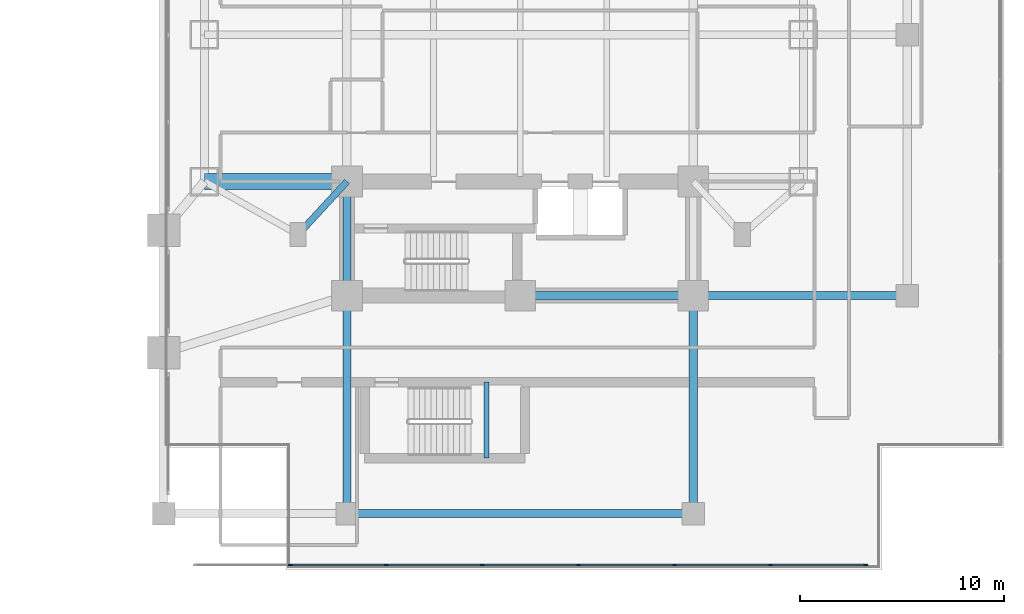
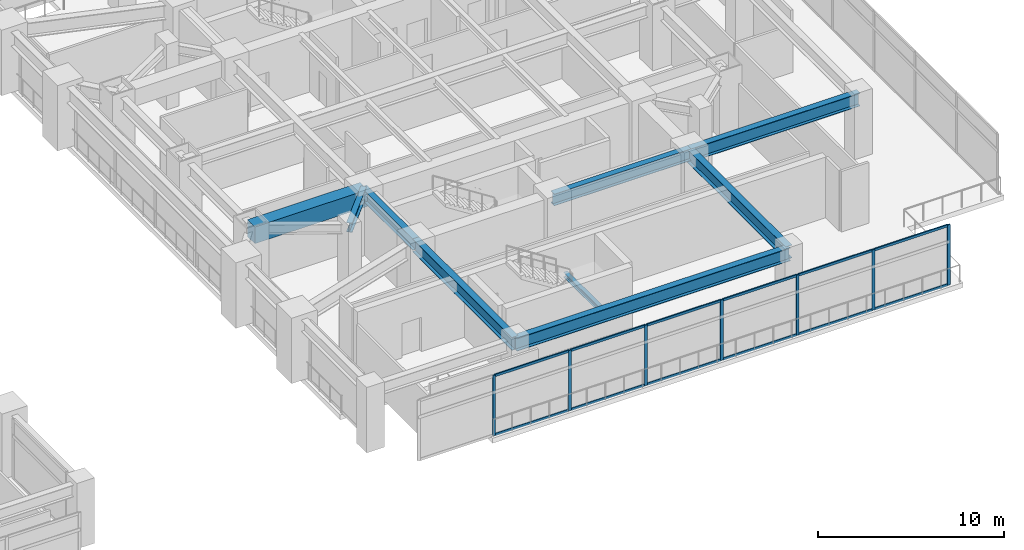
# One storey, part 9 of 31: 19 members, 9 beams, 1 element without a shape of its own.
"""IFC4 building model written with IfcOpenShell, lengths in metres."""

from ifc_helpers import new_model, si_unit, direction, frame, origin, origin_2d, place, context, subcontext, project, spatial, rectangle, i_section, extrude, material, material_profile, profile_set, type_object, element, aggregate, save


model = new_model("IFC4")

# Units and contexts
model_context = context("Model", 3, precision=1e-05, world=origin(), true_north=direction((0.0, 1.0)))
body_context = subcontext(model_context, "Body", "Model", "MODEL_VIEW")
ifc_project = project(units=[si_unit("LENGTHUNIT", "METRE"), si_unit("AREAUNIT", "SQUARE_METRE"), si_unit("VOLUMEUNIT", "CUBIC_METRE"), si_unit("PLANEANGLEUNIT", "RADIAN"), si_unit("MASSUNIT", "GRAM", prefix="KILO")], contexts=[model_context])

# Site, building, storey
site_placement = place(None, origin())
site = spatial("IfcSite", under=ifc_project, at=site_placement, CompositionType="ELEMENT")
building_placement = place(site_placement, origin())
building = spatial("IfcBuilding", under=site, at=building_placement, Name="Mirazonda Arch Towers", CompositionType="ELEMENT")
storey_placement = place(building_placement, frame((0.0, 0.0, 5.199951171875)))
storey = spatial("IfcBuildingStorey", under=building, at=storey_placement, Name="L01", CompositionType="ELEMENT", Elevation=5.199951171875)

# Beams
ifc_material_1 = material(Name="Steel ASTM A992 Grade 50", Category="steel")
ifc_material_profile_1 = material_profile(ifc_material_1, i_section(OverallWidth=0.39990234375, OverallDepth=0.85595703125, WebThickness=0.018310546875, FlangeThickness=0.029296875, at=origin_2d()), Name="W33X201")
ifc_profile_set_1 = profile_set([ifc_material_profile_1], Name="Steel ASTM A992 Grade 50")
beam_type_1 = type_object("IfcBeamType", Name="BM-EXT-W33X201", PredefinedType="USERDEFINED", material=ifc_profile_set_1)
beam_1_placement = place(storey_placement, frame((68.0, 4.5, 3.552001953125), z_axis=(1.0, 0.0, 0.0), x_axis=(0.0, 1.0, 0.0)))
element("IfcBeam", 1, at=beam_1_placement, inside=storey, type_object=beam_type_1, Name="L01 Floor Beam BM-POD-L01-PS-5", ObjectType="GIRDER", PredefinedType="USERDEFINED", context=body_context, shape_type="SweptSolid", body=[
    extrude(i_section(OverallWidth=0.39990234375, OverallDepth=0.85595703125, WebThickness=0.018310546875, FlangeThickness=0.029296875, at=origin_2d()), origin(), (0.0, 0.0, 1.0), 17.0),
])
ifc_material_profile_2 = material_profile(ifc_material_1, i_section(OverallWidth=0.257080078125, OverallDepth=0.330078125, WebThickness=0.011962890625, FlangeThickness=0.01953125, at=origin_2d()), Name="W10X68")
ifc_profile_set_2 = profile_set([ifc_material_profile_2], Name="Steel ASTM A992 Grade 50")
beam_type_2 = type_object("IfcBeamType", Name="BM-INT-W10X68", PredefinedType="BEAM", material=ifc_profile_set_2)
beam_2_placement = place(storey_placement, frame((74.85009765625, 7.219970703125, 1.78515625), z_axis=(0.0, 1.0, 0.0), x_axis=(-1.0, 0.0, 0.0)))
element("IfcBeam", 2, at=beam_2_placement, inside=storey, type_object=beam_type_2, Name="L01 ST-POD2 Landing Trimmer Beam", PredefinedType="BEAM", context=body_context, shape_type="SweptSolid", body=[
    extrude(i_section(OverallWidth=0.257080078125, OverallDepth=0.330078125, WebThickness=0.011962890625, FlangeThickness=0.01953125, at=origin_2d()), origin(), (0.0, 0.0, 1.0), 3.72998046875),
])
ifc_material_profile_3 = material_profile(ifc_material_1, i_section(OverallWidth=0.324951171875, OverallDepth=0.615966796875, WebThickness=0.013916015625, FlangeThickness=0.021484375, at=origin_2d()), Name="W24X117")
ifc_profile_set_3 = profile_set([ifc_material_profile_3], Name="Steel ASTM A992 Grade 50")
beam_type_3 = type_object("IfcBeamType", Name="BM-INT-W24X117", PredefinedType="BEAM", material=ifc_profile_set_3)
beam_3_placement = place(storey_placement, frame((65.60009765625, 18.199951171875, 3.672119140625), z_axis=(0.678251444854, 0.734829897019, 0.0), x_axis=(-0.734829897019, 0.678251444854, 0.0)))
element("IfcBeam", 3, at=beam_3_placement, inside=storey, type_object=beam_type_3, Name="L01 Floor Beam BM-T2-L01-PL-SW1", PredefinedType="BEAM", context=body_context, shape_type="SweptSolid", body=[
    extrude(i_section(OverallWidth=0.324951171875, OverallDepth=0.615966796875, WebThickness=0.013916015625, FlangeThickness=0.021484375, at=origin_2d()), origin(), (0.0, 0.0, 1.0), 3.538330078125),
])
ifc_material_profile_4 = material_profile(ifc_material_1, i_section(OverallWidth=0.381103515625, OverallDepth=0.77294921875, WebThickness=0.0166015625, FlangeThickness=0.027099609375, at=origin_2d()), Name="W30X173")
ifc_profile_set_4 = profile_set([ifc_material_profile_4], Name="Steel ASTM A992 Grade 50")
beam_type_4 = type_object("IfcBeamType", Name="BM-INT-W30X173", PredefinedType="USERDEFINED", material=ifc_profile_set_4)
beam_4_placement = place(storey_placement, frame((76.5, 15.199951171875, 3.593505859375), z_axis=(1.0, 0.0, 0.0), x_axis=(0.0, 1.0, 0.0)))
element("IfcBeam", 4, at=beam_4_placement, inside=storey, type_object=beam_type_4, Name="L01 Floor Beam BM-T2-L01-CS2", ObjectType="GIRDER", PredefinedType="USERDEFINED", context=body_context, shape_type="SweptSolid", body=[
    extrude(i_section(OverallWidth=0.381103515625, OverallDepth=0.77294921875, WebThickness=0.0166015625, FlangeThickness=0.027099609375, at=origin_2d()), origin(), (0.0, 0.0, 1.0), 8.5),
])
beam_5_placement = place(storey_placement, frame((68.0, 15.199951171875, 3.593505859375), z_axis=(0.0, 1.0, 0.0), x_axis=(-1.0, 0.0, 0.0)))
element("IfcBeam", 5, at=beam_5_placement, inside=storey, type_object=beam_type_4, Name="L01 Floor Beam BM-T2-L01-CSW", ObjectType="GIRDER", PredefinedType="USERDEFINED", context=body_context, shape_type="SweptSolid", body=[
    extrude(i_section(OverallWidth=0.381103515625, OverallDepth=0.77294921875, WebThickness=0.0166015625, FlangeThickness=0.027099609375, at=origin_2d()), origin(), (0.0, 0.0, 1.0), 5.60009765625),
])
ifc_material_profile_5 = material_profile(ifc_material_1, i_section(OverallWidth=0.39990234375, OverallDepth=0.85595703125, WebThickness=0.018310546875, FlangeThickness=0.029296875, at=origin_2d()), Name="W33X201")
ifc_profile_set_5 = profile_set([ifc_material_profile_5], Name="Steel ASTM A992 Grade 50")
beam_type_5 = type_object("IfcBeamType", Name="BM-INT-W33X201", PredefinedType="USERDEFINED", material=ifc_profile_set_5)
for number, where, z_axis, x_axis, name in (
    (6, (68.0, 4.5, 3.552001953125), (0.0, 1.0, 0.0), (-1.0, 0.0, 0.0), "L01 Floor Beam BM-POD-L01-PCS-6"),
    (7, (85.0, 4.5, 3.552001953125), (0.0, 1.0, 0.0), (-1.0, 0.0, 0.0), "L01 Floor Beam BM-POD-L01-PCS-7"),
):
    element("IfcBeam", number, at=place(storey_placement, frame(where, z_axis=z_axis, x_axis=x_axis)), inside=storey, type_object=beam_type_5, Name=name, ObjectType="GIRDER", PredefinedType="USERDEFINED", context=body_context, shape_type="SweptSolid", body=[
        extrude(i_section(OverallWidth=0.39990234375, OverallDepth=0.85595703125, WebThickness=0.018310546875, FlangeThickness=0.029296875, at=origin_2d()), origin(), (0.0, 0.0, 1.0), 10.699951171875),
    ])
beam_6_placement = place(storey_placement, frame((85.0, 15.199951171875, 3.552001953125), z_axis=(1.0, 0.0, 0.0), x_axis=(0.0, 1.0, 0.0)))
element("IfcBeam", 8, at=beam_6_placement, inside=storey, type_object=beam_type_5, Name="L01 Floor Beam BM-POD-L01-PCE-1", ObjectType="GIRDER", PredefinedType="USERDEFINED", context=body_context, shape_type="SweptSolid", body=[
    extrude(i_section(OverallWidth=0.39990234375, OverallDepth=0.85595703125, WebThickness=0.018310546875, FlangeThickness=0.029296875, at=origin_2d()), origin(), (0.0, 0.0, 1.0), 10.5),
])
ifc_material_2 = material(Name="Concrete C60/75", Category="concrete")
ifc_material_profile_6 = material_profile(ifc_material_2, rectangle(XDim=0.800048828125, YDim=1.10009765625, at=origin_2d()), Name="RCCB800x1100")
ifc_profile_set_6 = profile_set([ifc_material_profile_6], Name="Concrete C60/75")
beam_type_6 = type_object("IfcBeamType", Name="CB-INT-RCCB800x1100", PredefinedType="SPANDREL", material=ifc_profile_set_6)
beam_7_placement = place(storey_placement, frame((61.0, 20.800048828125, 3.429931640625), z_axis=(1.0, 0.0, 0.0), x_axis=(0.0, 1.0, 0.0)))
element("IfcBeam", 9, at=beam_7_placement, inside=storey, type_object=beam_type_6, Name="L01 Floor Beam CB-T2-L01-SW", PredefinedType="SPANDREL", context=body_context, shape_type="SweptSolid", body=[
    extrude(rectangle(XDim=0.800048828125, YDim=1.10009765625, at=origin_2d()), origin(), (0.0, 0.0, 1.0), 7.0),
])

# Curtain wall, members
ifc_material_3 = material(Name="Anodised Aluminium and Low-E Glass", Category="aluminium")
curtain_wall_type = type_object("IfcCurtainWallType", Name="CW-POD-STORE", PredefinedType="NOTDEFINED", material=ifc_material_3)
curtain_wall_placement = place(storey_placement, origin())
curtain_wall = element("IfcCurtainWall", 10, at=curtain_wall_placement, inside=storey, type_object=curtain_wall_type, Name="L01 Curtain Wall CW-L01-ES", PredefinedType="NOTDEFINED")
ifc_material_4 = material(Name="Anodised Aluminium Alloy", Category="aluminium")
ifc_material_profile_7 = material_profile(ifc_material_4, rectangle(XDim=0.080078125, YDim=0.179931640625, at=origin_2d()), Name="ALU-MULL-80x180")
ifc_profile_set_7 = profile_set([ifc_material_profile_7], Name="Anodised Aluminium Alloy")
member_type_1 = type_object("IfcMemberType", Name="MULL-CW-POD-STORE", PredefinedType="MULLION", material=ifc_profile_set_7)
member_1_placement = place(storey_placement, frame((93.4599609375, 1.969970703125, 0.0), z_axis=(0.0, 0.0, 1.0), x_axis=(0.0, -1.0, 0.0)))
member_1 = element("IfcMember", 11, at=member_1_placement, type_object=member_type_1, Name="CW-102 mullion 1", PredefinedType="MULLION", context=body_context, shape_type="SweptSolid", body=[
    extrude(rectangle(XDim=0.080078125, YDim=0.179931640625, at=origin_2d()), origin(), (0.0, 0.0, 1.0), 3.9599609375),
])
member_2_placement = place(storey_placement, frame((88.78564453125, 1.969970703125, 0.0), z_axis=(0.0, 0.0, 1.0), x_axis=(0.0, -1.0, 0.0)))
member_2 = element("IfcMember", 12, at=member_2_placement, type_object=member_type_1, Name="CW-102 mullion 2", PredefinedType="MULLION", context=body_context, shape_type="SweptSolid", body=[
    extrude(rectangle(XDim=0.080078125, YDim=0.179931640625, at=origin_2d()), origin(), (0.0, 0.0, 1.0), 3.9599609375),
])
member_3_placement = place(storey_placement, frame((84.071533203125, 1.969970703125, 0.0), z_axis=(0.0, 0.0, 1.0), x_axis=(0.0, -1.0, 0.0)))
member_3 = element("IfcMember", 13, at=member_3_placement, type_object=member_type_1, Name="CW-102 mullion 3", PredefinedType="MULLION", context=body_context, shape_type="SweptSolid", body=[
    extrude(rectangle(XDim=0.080078125, YDim=0.179931640625, at=origin_2d()), origin(), (0.0, 0.0, 1.0), 3.9599609375),
])
member_4_placement = place(storey_placement, frame((79.357177734375, 1.969970703125, 0.0), z_axis=(0.0, 0.0, 1.0), x_axis=(0.0, -1.0, 0.0)))
member_4 = element("IfcMember", 14, at=member_4_placement, type_object=member_type_1, Name="CW-102 mullion 4", PredefinedType="MULLION", context=body_context, shape_type="SweptSolid", body=[
    extrude(rectangle(XDim=0.080078125, YDim=0.179931640625, at=origin_2d()), origin(), (0.0, 0.0, 1.0), 3.9599609375),
])
member_5_placement = place(storey_placement, frame((74.642822265625, 1.969970703125, 0.0), z_axis=(0.0, 0.0, 1.0), x_axis=(0.0, -1.0, 0.0)))
member_5 = element("IfcMember", 15, at=member_5_placement, type_object=member_type_1, Name="CW-102 mullion 5", PredefinedType="MULLION", context=body_context, shape_type="SweptSolid", body=[
    extrude(rectangle(XDim=0.080078125, YDim=0.179931640625, at=origin_2d()), origin(), (0.0, 0.0, 1.0), 3.9599609375),
])
member_6_placement = place(storey_placement, frame((69.928466796875, 1.969970703125, 0.0), z_axis=(0.0, 0.0, 1.0), x_axis=(0.0, -1.0, 0.0)))
member_6 = element("IfcMember", 16, at=member_6_placement, type_object=member_type_1, Name="CW-102 mullion 6", PredefinedType="MULLION", context=body_context, shape_type="SweptSolid", body=[
    extrude(rectangle(XDim=0.080078125, YDim=0.179931640625, at=origin_2d()), origin(), (0.0, 0.0, 1.0), 3.9599609375),
])
member_7_placement = place(storey_placement, frame((65.21435546875, 1.969970703125, 0.0), z_axis=(0.0, 0.0, 1.0), x_axis=(0.0, -1.0, 0.0)))
member_7 = element("IfcMember", 17, at=member_7_placement, type_object=member_type_1, Name="CW-102 mullion 7", PredefinedType="MULLION", context=body_context, shape_type="SweptSolid", body=[
    extrude(rectangle(XDim=0.080078125, YDim=0.179931640625, at=origin_2d()), origin(), (0.0, 0.0, 1.0), 3.9599609375),
])
ifc_material_profile_8 = material_profile(ifc_material_4, rectangle(XDim=0.080078125, YDim=0.159912109375, at=origin_2d()), Name="ALU-TRAN-80x160")
ifc_profile_set_8 = profile_set([ifc_material_profile_8], Name="Anodised Aluminium Alloy")
member_type_2 = type_object("IfcMemberType", Name="TRAN-CW-POD-STORE", PredefinedType="USERDEFINED", material=ifc_profile_set_8)
member_8_placement = place(storey_placement, frame((93.419921875, 1.969970703125, 0.0400390625), z_axis=(-1.0, 0.0, 0.0), x_axis=(0.0, -1.0, 0.0)))
member_8 = element("IfcMember", 18, at=member_8_placement, type_object=member_type_2, Name="CW-102 transom 1.1", ObjectType="TRANSOM", PredefinedType="USERDEFINED", context=body_context, shape_type="SweptSolid", body=[
    extrude(rectangle(XDim=0.080078125, YDim=0.159912109375, at=origin_2d()), origin(), (0.0, 0.0, 1.0), 4.59423828125),
])
member_9_placement = place(storey_placement, frame((93.419921875, 1.969970703125, 3.920166015625), z_axis=(-1.0, 0.0, 0.0), x_axis=(0.0, -1.0, 0.0)))
member_9 = element("IfcMember", 19, at=member_9_placement, type_object=member_type_2, Name="CW-102 transom 1.2", ObjectType="TRANSOM", PredefinedType="USERDEFINED", context=body_context, shape_type="SweptSolid", body=[
    extrude(rectangle(XDim=0.080078125, YDim=0.159912109375, at=origin_2d()), origin(), (0.0, 0.0, 1.0), 4.59423828125),
])
member_10_placement = place(storey_placement, frame((88.74560546875, 1.969970703125, 0.0400390625), z_axis=(-1.0, 0.0, 0.0), x_axis=(0.0, -1.0, 0.0)))
member_10 = element("IfcMember", 20, at=member_10_placement, type_object=member_type_2, Name="CW-102 transom 2.1", ObjectType="TRANSOM", PredefinedType="USERDEFINED", context=body_context, shape_type="SweptSolid", body=[
    extrude(rectangle(XDim=0.080078125, YDim=0.159912109375, at=origin_2d()), origin(), (0.0, 0.0, 1.0), 4.63427734375),
])
member_11_placement = place(storey_placement, frame((88.74560546875, 1.969970703125, 3.920166015625), z_axis=(-1.0, 0.0, 0.0), x_axis=(0.0, -1.0, 0.0)))
member_11 = element("IfcMember", 21, at=member_11_placement, type_object=member_type_2, Name="CW-102 transom 2.2", ObjectType="TRANSOM", PredefinedType="USERDEFINED", context=body_context, shape_type="SweptSolid", body=[
    extrude(rectangle(XDim=0.080078125, YDim=0.159912109375, at=origin_2d()), origin(), (0.0, 0.0, 1.0), 4.63427734375),
])
member_12_placement = place(storey_placement, frame((84.031494140625, 1.969970703125, 0.0400390625), z_axis=(-1.0, 0.0, 0.0), x_axis=(0.0, -1.0, 0.0)))
member_12 = element("IfcMember", 22, at=member_12_placement, type_object=member_type_2, Name="CW-102 transom 3.1", ObjectType="TRANSOM", PredefinedType="USERDEFINED", context=body_context, shape_type="SweptSolid", body=[
    extrude(rectangle(XDim=0.080078125, YDim=0.159912109375, at=origin_2d()), origin(), (0.0, 0.0, 1.0), 4.63427734375),
])
member_13_placement = place(storey_placement, frame((84.031494140625, 1.969970703125, 3.920166015625), z_axis=(-1.0, 0.0, 0.0), x_axis=(0.0, -1.0, 0.0)))
member_13 = element("IfcMember", 23, at=member_13_placement, type_object=member_type_2, Name="CW-102 transom 3.2", ObjectType="TRANSOM", PredefinedType="USERDEFINED", context=body_context, shape_type="SweptSolid", body=[
    extrude(rectangle(XDim=0.080078125, YDim=0.159912109375, at=origin_2d()), origin(), (0.0, 0.0, 1.0), 4.63427734375),
])
member_14_placement = place(storey_placement, frame((79.317138671875, 1.969970703125, 0.0400390625), z_axis=(-1.0, 0.0, 0.0), x_axis=(0.0, -1.0, 0.0)))
member_14 = element("IfcMember", 24, at=member_14_placement, type_object=member_type_2, Name="CW-102 transom 4.1", ObjectType="TRANSOM", PredefinedType="USERDEFINED", context=body_context, shape_type="SweptSolid", body=[
    extrude(rectangle(XDim=0.080078125, YDim=0.159912109375, at=origin_2d()), origin(), (0.0, 0.0, 1.0), 4.63427734375),
])
member_15_placement = place(storey_placement, frame((79.317138671875, 1.969970703125, 3.920166015625), z_axis=(-1.0, 0.0, 0.0), x_axis=(0.0, -1.0, 0.0)))
member_15 = element("IfcMember", 25, at=member_15_placement, type_object=member_type_2, Name="CW-102 transom 4.2", ObjectType="TRANSOM", PredefinedType="USERDEFINED", context=body_context, shape_type="SweptSolid", body=[
    extrude(rectangle(XDim=0.080078125, YDim=0.159912109375, at=origin_2d()), origin(), (0.0, 0.0, 1.0), 4.63427734375),
])
member_16_placement = place(storey_placement, frame((74.602783203125, 1.969970703125, 0.0400390625), z_axis=(-1.0, 0.0, 0.0), x_axis=(0.0, -1.0, 0.0)))
member_16 = element("IfcMember", 26, at=member_16_placement, type_object=member_type_2, Name="CW-102 transom 5.1", ObjectType="TRANSOM", PredefinedType="USERDEFINED", context=body_context, shape_type="SweptSolid", body=[
    extrude(rectangle(XDim=0.080078125, YDim=0.159912109375, at=origin_2d()), origin(), (0.0, 0.0, 1.0), 4.63427734375),
])
member_17_placement = place(storey_placement, frame((74.602783203125, 1.969970703125, 3.920166015625), z_axis=(-1.0, 0.0, 0.0), x_axis=(0.0, -1.0, 0.0)))
member_17 = element("IfcMember", 27, at=member_17_placement, type_object=member_type_2, Name="CW-102 transom 5.2", ObjectType="TRANSOM", PredefinedType="USERDEFINED", context=body_context, shape_type="SweptSolid", body=[
    extrude(rectangle(XDim=0.080078125, YDim=0.159912109375, at=origin_2d()), origin(), (0.0, 0.0, 1.0), 4.63427734375),
])
member_18_placement = place(storey_placement, frame((69.888671875, 1.969970703125, 0.0400390625), z_axis=(-1.0, 0.0, 0.0), x_axis=(0.0, -1.0, 0.0)))
member_18 = element("IfcMember", 28, at=member_18_placement, type_object=member_type_2, Name="CW-102 transom 6.1", ObjectType="TRANSOM", PredefinedType="USERDEFINED", context=body_context, shape_type="SweptSolid", body=[
    extrude(rectangle(XDim=0.080078125, YDim=0.159912109375, at=origin_2d()), origin(), (0.0, 0.0, 1.0), 4.63427734375),
])
member_19_placement = place(storey_placement, frame((69.888671875, 1.969970703125, 3.920166015625), z_axis=(-1.0, 0.0, 0.0), x_axis=(0.0, -1.0, 0.0)))
member_19 = element("IfcMember", 29, at=member_19_placement, type_object=member_type_2, Name="CW-102 transom 6.2", ObjectType="TRANSOM", PredefinedType="USERDEFINED", context=body_context, shape_type="SweptSolid", body=[
    extrude(rectangle(XDim=0.080078125, YDim=0.159912109375, at=origin_2d()), origin(), (0.0, 0.0, 1.0), 4.63427734375),
])
aggregate(curtain_wall, [member_1, member_2, member_3, member_4, member_5, member_6, member_7, member_8, member_9, member_10, member_11, member_12, member_13, member_14, member_15, member_16, member_17, member_18, member_19])

save(model, "model.ifc")
